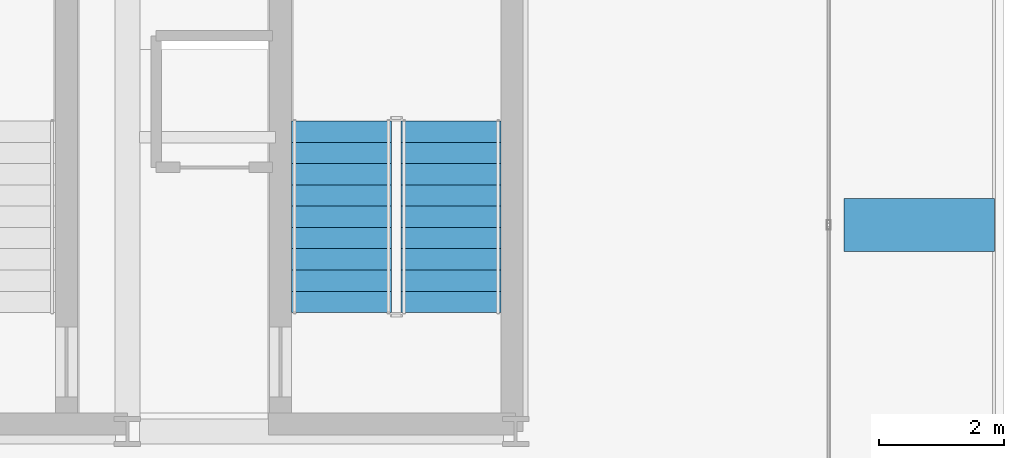
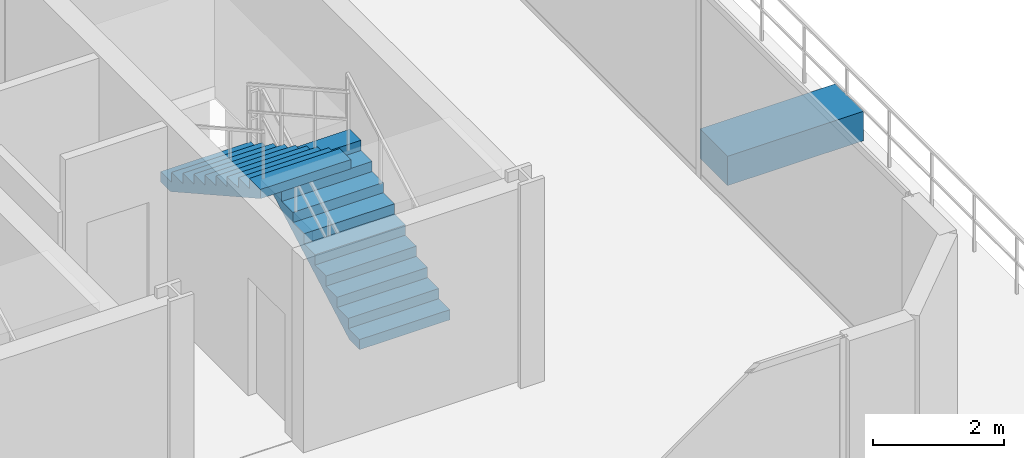
# One storey, part 11 of 12: 2 stair flights, 1 building element part, 1 element without a shape of its own.
"""IFC4 building model written with IfcOpenShell, lengths in metres."""

from ifc_helpers import new_model, si_unit, direction, frame, origin, origin_2d, place, context, subcontext, project, spatial, polyline, rectangle, outline, extrude, material, layer, layer_set, type_object, element, aggregate, save


model = new_model("IFC4")

# Units and contexts
model_context = context("Model", 3, precision=1e-05, world=origin(), true_north=direction((0.0, 1.0)))
body_context = subcontext(model_context, "Body", "Model", "MODEL_VIEW")
ifc_project = project(units=[si_unit("LENGTHUNIT", "METRE"), si_unit("AREAUNIT", "SQUARE_METRE"), si_unit("VOLUMEUNIT", "CUBIC_METRE"), si_unit("PLANEANGLEUNIT", "RADIAN"), si_unit("MASSUNIT", "GRAM", prefix="KILO")], contexts=[model_context])

# Site, building, storey
site_placement = place(None, origin())
site = spatial("IfcSite", under=ifc_project, at=site_placement, CompositionType="ELEMENT")
building_placement = place(site_placement, origin())
building = spatial("IfcBuilding", under=site, at=building_placement, Name="Zuhayl Quay Hotel", CompositionType="ELEMENT")
storey_placement = place(building_placement, frame((0.0, 0.0, 312.449951171875)))
storey = spatial("IfcBuildingStorey", under=building, at=storey_placement, Name="Crown 5", CompositionType="ELEMENT", Elevation=312.449951171875)

# Stair, stair flights
ifc_material_1 = material(Name="Concrete C45/55", Category="concrete")
stair_type = type_object("IfcStairType", Name="ST_DOGLEG_PODIUM", PredefinedType="HALF_TURN_STAIR", material=ifc_material_1)
stair_placement = place(storey_placement, origin())
stair = element("IfcStair", 1, at=stair_placement, inside=storey, type_object=stair_type, Name="Crown 5 Smokeproof Exit Stair ST6", PredefinedType="HALF_TURN_STAIR")
ifc_layer_1 = layer(ifc_material_1, 0.159912109375, Name="Concrete C45/55", Category="concrete")
ifc_layer_set_1 = layer_set([ifc_layer_1], Name="Concrete C45/55")
stair_flight_type = type_object("IfcStairFlightType", Name="SF_CONC_160", PredefinedType="STRAIGHT", material=ifc_layer_set_1)
stair_flight_1_placement = place(storey_placement, frame((0.570068359375, 27.0, 0.0), z_axis=(0.0, 0.0, 1.0), x_axis=(0.0, 1.0, 0.0)))
stair_flight_1 = element("IfcStairFlight", 2, at=stair_flight_1_placement, type_object=stair_flight_type, Name="ST6 flight 1", NumberOfRisers=10, NumberOfTreads=9, PredefinedType="STRAIGHT", RiserHeight=0.19, TreadLength=0.34, context=body_context, shape_type="SweptSolid", body=[
    extrude(outline(polyline([(0.0, 0.0), (0.0, 0.18994140625), (0.340087890625, 0.18994140625), (0.340087890625, 0.3798828125), (0.679931640625, 0.3798828125), (0.679931640625, 0.570068359375), (1.02001953125, 0.570068359375), (1.02001953125, 0.760009765625), (1.360107421875, 0.760009765625), (1.360107421875, 0.949951171875), (1.699951171875, 0.949951171875), (1.699951171875, 1.139892578125), (2.0400390625, 1.139892578125), (2.0400390625, 1.330078125), (2.3798828125, 1.330078125), (2.3798828125, 1.52001953125), (2.719970703125, 1.52001953125), (2.719970703125, 1.7099609375), (3.06005859375, 1.7099609375), (3.06005859375, 1.89990234375), (3.06005859375, 1.538330078125), (0.307373046875, 0.0), (0.0, 0.0)])), frame((0.0, 0.800048828125, 0.0), z_axis=(0.0, -1.0, 0.0), x_axis=(1.0, 0.0, 0.0)), (0.0, 0.0, 1.0), 1.60009765625),
])
stair_flight_2_placement = place(storey_placement, frame((-1.179931640625, 30.06005859375, 1.900146484375), z_axis=(0.0, 0.0, 1.0), x_axis=(0.0, -1.0, 0.0)))
stair_flight_2 = element("IfcStairFlight", 3, at=stair_flight_2_placement, type_object=stair_flight_type, Name="ST6 flight 2", NumberOfRisers=10, NumberOfTreads=9, PredefinedType="STRAIGHT", RiserHeight=0.19, TreadLength=0.34, context=body_context, shape_type="SweptSolid", body=[
    extrude(outline(polyline([(0.0, 0.0), (0.0, 0.18994140625), (0.340087890625, 0.18994140625), (0.340087890625, 0.3798828125), (0.679931640625, 0.3798828125), (0.679931640625, 0.570068359375), (1.02001953125, 0.570068359375), (1.02001953125, 0.760009765625), (1.360107421875, 0.760009765625), (1.360107421875, 0.949951171875), (1.699951171875, 0.949951171875), (1.699951171875, 1.139892578125), (2.0400390625, 1.139892578125), (2.0400390625, 1.330078125), (2.3798828125, 1.330078125), (2.3798828125, 1.52001953125), (2.719970703125, 1.52001953125), (2.719970703125, 1.7099609375), (3.06005859375, 1.7099609375), (3.06005859375, 1.89990234375), (3.06005859375, 1.538330078125), (0.307373046875, 0.0), (0.0, 0.0)])), frame((0.0, 0.800048828125, 0.0), z_axis=(0.0, -1.0, 0.0), x_axis=(1.0, 0.0, 0.0)), (0.0, 0.0, 1.0), 1.60009765625),
])
aggregate(stair, [stair_flight_1, stair_flight_2])

# Building element part
ifc_material_2 = material(Name="Precast concrete C45/55", Category="concrete")
ifc_layer_2 = layer(ifc_material_2, 0.550048828125, Name="Precast concrete C45/55", Category="concrete")
ifc_layer_set_2 = layer_set([ifc_layer_2], Name="Precast concrete C45/55")
building_element_part_type = type_object("IfcBuildingElementPartType", Name="PT_PLANTER_KERB", PredefinedType="PRECASTPANEL", material=ifc_layer_set_2)
building_element_part_placement = place(storey_placement, frame((8.044921875, 28.39990234375, 0.0), z_axis=(0.0, 0.0, 1.0), x_axis=(1.0, 0.0, 0.0)))
element("IfcBuildingElementPart", 4, at=building_element_part_placement, inside=storey, type_object=building_element_part_type, Name="Crown 5 Stepped Crown Planter Box", PredefinedType="PRECASTPANEL", context=body_context, shape_type="SweptSolid", body=[
    extrude(rectangle(XDim=2.39990234375, YDim=0.85009765625, at=origin_2d()), origin(), (0.0, 0.0, 1.0), 0.550048828125),
])

save(model, "model.ifc")
